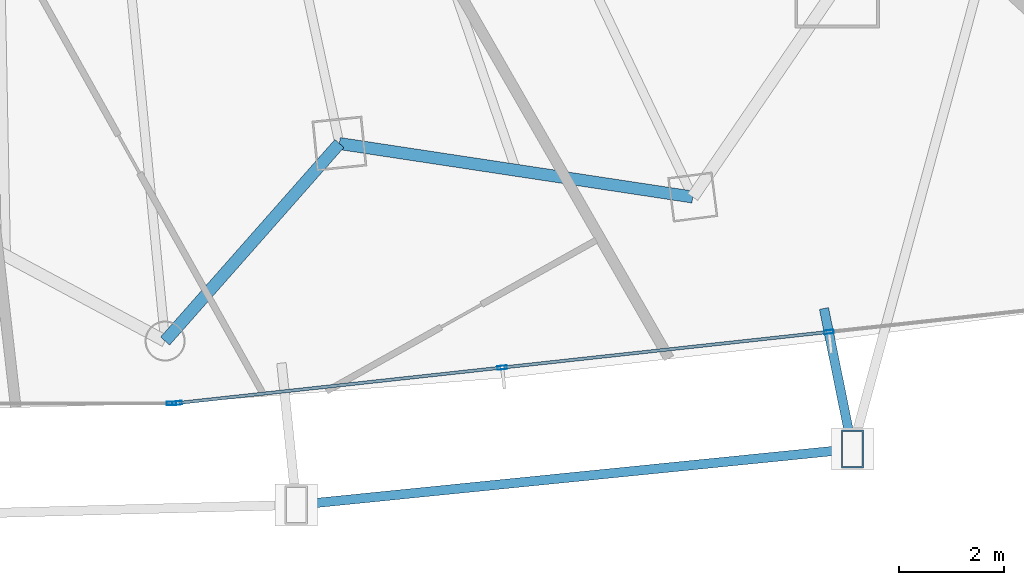
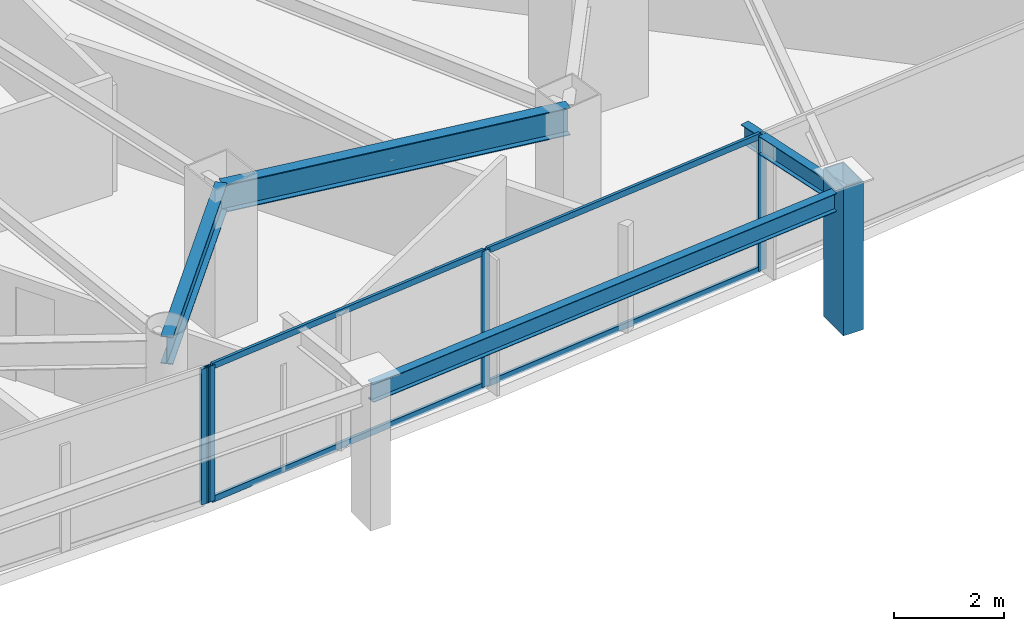
# One storey, part 12 of 33: 9 members, 4 beams, 2 elements without a shape of their own.
"""IFC4 building model written with IfcOpenShell, lengths in metres."""

import ifcopenshell
import ifcopenshell.guid

model = None  # the IFC model being written
_history = None  # IfcOwnerHistory: only IFC2X3 demands one
_inside = {}  # id of a spatial element -> (the spatial element, [elements in it])
_under = {}  # id of a project, library or spatial element -> (it, [spatial elements below it])
_declared = {}  # id of a project -> (the project, [libraries it declares])
_typed = {}  # id of a type object -> (the type object, [elements of that type])
_made_of = {}  # id of a material, layer set ... -> (it, [elements and type objects made of it])


def new_model(schema):
    """Start an empty IFC model of exactly this schema.

    Asked for "IFC4X3", IfcOpenShell would pick the latest addendum, in which some entities
    have other attributes; the version numbers below select the first issue.
    IFC2X3 requires an IfcOwnerHistory on every rooted entity: one is made here for all.
    """
    global model, _history
    if schema == "IFC4X3":
        model = ifcopenshell.file(schema_version=(4, 3, 0, 0))
    else:
        model = ifcopenshell.file(schema=schema)
    _inside.clear()
    _under.clear()
    _declared.clear()
    _typed.clear()
    _made_of.clear()
    _history = None
    if model.schema == "IFC2X3":
        org = make("IfcOrganization", Name="unknown")
        user = make(
            "IfcPersonAndOrganization",
            ThePerson=make("IfcPerson", FamilyName="unknown"),
            TheOrganization=org,
        )
        app = make(
            "IfcApplication",
            ApplicationDeveloper=org,
            Version="unknown",
            ApplicationFullName="unknown",
            ApplicationIdentifier="unknown",
        )
        _history = make(
            "IfcOwnerHistory",
            OwningUser=user,
            OwningApplication=app,
            ChangeAction="ADDED",
            CreationDate=0,
        )
    return model


def make(cls, **values):
    """One entity of the class cls with the attributes given. An attribute that is None is left unset."""
    return model.create_entity(
        cls, **{name: value for name, value in values.items() if value is not None}
    )


def rooted(cls, **values):
    """An entity with a GlobalId (a new one), such as an element, a storey or a relation."""
    return make(cls, GlobalId=ifcopenshell.guid.new(), OwnerHistory=_history, **values)


def si_unit(unit_type, name, prefix=None):
    """IfcSIUnit, for example si_unit("LENGTHUNIT", "METRE", prefix="MILLI")."""
    return make("IfcSIUnit", UnitType=unit_type, Prefix=prefix, Name=name)


def assignment(units):
    """IfcUnitAssignment: the units of a project."""
    return None if units is None else make("IfcUnitAssignment", Units=units)


def point(xyz):
    """IfcCartesianPoint."""
    return None if xyz is None else make("IfcCartesianPoint", Coordinates=xyz)


def direction(xyz):
    """IfcDirection."""
    return None if xyz is None else make("IfcDirection", DirectionRatios=xyz)


def frame(location, z_axis=None, x_axis=None):
    """IfcAxis2Placement3D, a coordinate frame: its origin and axes. An axis left out is left unset."""
    return make(
        "IfcAxis2Placement3D",
        Location=point(location),
        Axis=direction(z_axis),
        RefDirection=direction(x_axis),
    )


def frame_2d(location, x_axis=None):
    """IfcAxis2Placement2D, a coordinate frame in the plane: its origin and x axis."""
    return make(
        "IfcAxis2Placement2D", Location=point(location), RefDirection=direction(x_axis)
    )


def origin():
    """The frame at (0, 0, 0) with its axes left unset."""
    return frame((0.0, 0.0, 0.0))


def origin_2d():
    """The frame at (0, 0) in the plane with its x axis left unset."""
    return frame_2d((0.0, 0.0))


def place(relative_to, where):
    """IfcLocalPlacement: puts the frame where relative to a parent placement (None: the world)."""
    return make(
        "IfcLocalPlacement", PlacementRelTo=relative_to, RelativePlacement=where
    )


def context(
    kind, dimensions, precision=None, world=None, true_north=None, identifier=None
):
    """IfcGeometricRepresentationContext, for example the 3D "Model" context."""
    return make(
        "IfcGeometricRepresentationContext",
        ContextIdentifier=identifier,
        ContextType=kind,
        CoordinateSpaceDimension=dimensions,
        Precision=precision,
        WorldCoordinateSystem=world,
        TrueNorth=true_north,
    )


def subcontext(parent, identifier, kind, view, scale=None):
    """IfcGeometricRepresentationSubContext, for example "Body" below "Model"."""
    return make(
        "IfcGeometricRepresentationSubContext",
        ContextIdentifier=identifier,
        ContextType=kind,
        ParentContext=parent,
        TargetScale=scale,
        TargetView=view,
    )


def project(units=None, contexts=None):
    """IfcProject with its units and contexts."""
    return rooted(
        "IfcProject",
        Name="project",
        RepresentationContexts=contexts,
        UnitsInContext=assignment(units),
    )


def spatial(cls, under=None, at=None, **own):
    """A site, building, storey or space (cls), placed at a placement, below another one or the project."""
    s = rooted(cls, ObjectPlacement=at, **own)
    if under is not None:
        _under.setdefault(under.id(), (under, []))[1].append(s)
    return s


def profile(cls, at=None, kind="AREA", **sizes):
    """A parametric profile (cls). Its sizes go by their IFC names, for example OverallWidth=200.0."""
    return make(cls, ProfileType=kind, Position=at, **sizes)


def hollow_rectangle(**sizes):
    """IfcRectangleHollowProfileDef."""
    return profile("IfcRectangleHollowProfileDef", **sizes)


def i_section(**sizes):
    """IfcIShapeProfileDef."""
    return profile("IfcIShapeProfileDef", **sizes)


def extrude(swept, where, along, depth):
    """IfcExtrudedAreaSolid: the profile swept, set in the frame where, extruded along a direction by depth."""
    return make(
        "IfcExtrudedAreaSolid",
        SweptArea=swept,
        Position=where,
        ExtrudedDirection=direction(along),
        Depth=depth,
    )


def shape(context_of_items, identifier, shape_type, items):
    """IfcShapeRepresentation: the items that make up one representation, for example the "Body"."""
    return make(
        "IfcShapeRepresentation",
        ContextOfItems=context_of_items,
        RepresentationIdentifier=identifier,
        RepresentationType=shape_type,
        Items=items,
    )


def material(Name=None, Category=None):
    """IfcMaterial."""
    return make("IfcMaterial", Name=Name, Category=Category)


def layer(
    of_material, thickness, ventilated=None, Name=None, Category=None, Priority=None
):
    """IfcMaterialLayer: one layer of a wall or slab, of a material (None: an air gap)."""
    return make(
        "IfcMaterialLayer",
        Material=of_material,
        LayerThickness=thickness,
        IsVentilated=ventilated,
        Name=Name,
        Category=Category,
        Priority=Priority,
    )


def layer_set(layers, Name=None):
    """IfcMaterialLayerSet."""
    return make("IfcMaterialLayerSet", MaterialLayers=layers, LayerSetName=Name)


def material_profile(
    of_material, cross_section, Name=None, Category=None, Priority=None
):
    """IfcMaterialProfile: a cross section and its material."""
    return make(
        "IfcMaterialProfile",
        Name=Name,
        Material=of_material,
        Profile=cross_section,
        Priority=Priority,
        Category=Category,
    )


def profile_set(profiles, Name=None, composite=None):
    """IfcMaterialProfileSet."""
    return make(
        "IfcMaterialProfileSet",
        Name=Name,
        MaterialProfiles=profiles,
        CompositeProfile=composite,
    )


def made_of(thing, what):
    """Note that an element or type object is made of a material, layer set ...; save() writes the relation."""
    if what is not None:
        _made_of.setdefault(what.id(), (what, []))[1].append(thing)
    return thing


def type_object(cls, material=None, **own):
    """A type object (cls), such as IfcWallType, which elements share."""
    return made_of(rooted(cls, **own), material)


def element(
    cls,
    number,
    at=None,
    inside=None,
    cuts=None,
    type_object=None,
    material=None,
    context=None,
    identifier="Body",
    shape_type=None,
    held_by="IfcProductDefinitionShape",
    body=None,
    shapes=None,
    **own,
):
    """One element of the class cls, such as IfcWall. Its Tag is "e" and its number.

    at: its placement. inside: the storey or other place that contains it. cuts: it is an
    opening in that element (IfcRelVoidsElement). A single representation is given by context,
    identifier, shape_type and body (its items); several are given by shapes. held_by: the class
    of the entity that holds the representations. save() writes the other relations.
    """
    e = rooted(cls, Tag="e%d" % number, ObjectPlacement=at, **own)
    if body is not None:
        shapes = [shape(context, identifier, shape_type, body)]
    if shapes is not None:
        e.Representation = make(held_by, Representations=shapes)
    if inside is not None:
        _inside.setdefault(inside.id(), (inside, []))[1].append(e)
    if cuts is not None:
        rooted(
            "IfcRelVoidsElement", RelatingBuildingElement=cuts, RelatedOpeningElement=e
        )
    if type_object is not None:
        _typed.setdefault(type_object.id(), (type_object, []))[1].append(e)
    return made_of(e, material)


def aggregate(whole, parts):
    """IfcRelAggregates: a whole, such as a stair, and the parts it consists of."""
    return rooted("IfcRelAggregates", RelatingObject=whole, RelatedObjects=parts)


def save(model, path):
    """Write the relations noted so far, then the file.

    IfcRelAggregates (storeys below a building ...), IfcRelContainedInSpatialStructure (elements
    in a storey), IfcRelDefinesByType, IfcRelAssociatesMaterial and IfcRelDeclares: one each for
    every whole, place, type object, material and project.
    """
    for whole, parts in _under.values():
        aggregate(whole, parts)
    for where, things in _inside.values():
        rooted(
            "IfcRelContainedInSpatialStructure",
            RelatedElements=things,
            RelatingStructure=where,
        )
    for kind, things in _typed.values():
        rooted("IfcRelDefinesByType", RelatedObjects=things, RelatingType=kind)
    for what, things in _made_of.values():
        rooted("IfcRelAssociatesMaterial", RelatedObjects=things, RelatingMaterial=what)
    for by, libraries in _declared.values():
        rooted("IfcRelDeclares", RelatingContext=by, RelatedDefinitions=libraries)
    model.write(path)


model = new_model("IFC4")

# Units and contexts
model_context = context("Model", 3, precision=1e-05, world=origin(), true_north=direction((0.0, 1.0)))
body_context = subcontext(model_context, "Body", "Model", "MODEL_VIEW")
ifc_project = project(units=[si_unit("LENGTHUNIT", "METRE"), si_unit("AREAUNIT", "SQUARE_METRE"), si_unit("VOLUMEUNIT", "CUBIC_METRE"), si_unit("PLANEANGLEUNIT", "RADIAN"), si_unit("MASSUNIT", "GRAM", prefix="KILO")], contexts=[model_context])

# Site, building, storey
site_placement = place(None, origin())
site = spatial("IfcSite", under=ifc_project, at=site_placement, CompositionType="ELEMENT")
building_placement = place(site_placement, origin())
building = spatial("IfcBuilding", under=site, at=building_placement, Name="Orvanel Arch Residences", CompositionType="ELEMENT")
storey_placement = place(building_placement, frame((0.0, 0.0, 93.949951171875)))
storey = spatial("IfcBuildingStorey", under=building, at=storey_placement, Name="L26", CompositionType="ELEMENT", Elevation=93.949951171875)

# Member
ifc_material_1 = material(Name="Structural steel AS/NZS 3678 Grade 350", Category="steel")
ifc_material_profile_1 = material_profile(ifc_material_1, hollow_rectangle(XDim=0.419921875, YDim=0.719970703125, WallThickness=0.02490234375, at=origin_2d()), Name="RHS720x420x25")
ifc_profile_set_1 = profile_set([ifc_material_profile_1], Name="Structural steel AS/NZS 3678 Grade 350")
member_type_1 = type_object("IfcMemberType", Name="CH-720RHS-EXT", PredefinedType="CHORD", material=ifc_profile_set_1)
member_1_placement = place(storey_placement, frame((52.089111328125, 1.554931640625, 0.0), z_axis=(0.0, 0.0, 1.0), x_axis=(1.0, 0.0, 0.0)))
element("IfcMember", 1, at=member_1_placement, inside=storey, type_object=member_type_1, Name="L26 Outer Perimeter Frame Post 08", PredefinedType="CHORD", context=body_context, shape_type="SweptSolid", body=[
    extrude(hollow_rectangle(XDim=0.419921875, YDim=0.719970703125, WallThickness=0.02490234375, at=origin_2d()), origin(), (0.0, 0.0, 1.0), 3.300048828125),
])

# Curtain wall, member
ifc_material_2 = material(Name="Bronze-anodised aluminium AA6063-T6", Category="aluminium")
ifc_layer = layer(ifc_material_2, 0.179931640625)
ifc_layer_set = layer_set([ifc_layer], Name="Bronze-anodised aluminium AA6063-T6")
curtain_wall_type = type_object("IfcCurtainWallType", Name="CW2-LOW-SYS", PredefinedType="NOTDEFINED", material=ifc_layer_set)
curtain_wall_1_placement = place(storey_placement, origin())
curtain_wall_1 = element("IfcCurtainWall", 2, at=curtain_wall_1_placement, inside=storey, type_object=curtain_wall_type, Name="L26 CW2-LOW-SYS Unitised Curtain Wall", PredefinedType="NOTDEFINED")
ifc_material_profile_2 = material_profile(ifc_material_2, hollow_rectangle(XDim=0.070068359375, YDim=0.179931640625, WallThickness=0.00439453125, at=origin_2d()), Name="ALU180x70x4.5")
ifc_profile_set_2 = profile_set([ifc_material_profile_2], Name="Bronze-anodised aluminium AA6063-T6")
member_type_2 = type_object("IfcMemberType", Name="MUL-180x70", PredefinedType="MULLION", material=ifc_profile_set_2)
member_2_placement = place(storey_placement, frame((39.162109375, 2.422119140625, 0.0), z_axis=(0.0, 0.0, 1.0), x_axis=(0.0, 1.0, 0.0)))
member_2 = element("IfcMember", 3, at=member_2_placement, type_object=member_type_2, Name="CW-S2 mullion 3", PredefinedType="MULLION", context=body_context, shape_type="SweptSolid", body=[
    extrude(hollow_rectangle(XDim=0.070068359375, YDim=0.179931640625, WallThickness=0.00439453125, at=origin_2d()), origin(), (0.0, 0.0, 1.0), 3.02001953125),
])
aggregate(curtain_wall_1, [member_2])

# Curtain wall, members
curtain_wall_2_placement = place(storey_placement, origin())
curtain_wall_2 = element("IfcCurtainWall", 4, at=curtain_wall_2_placement, inside=storey, type_object=curtain_wall_type, Name="L26 CW2-LOW-SYS Unitised Curtain Wall", PredefinedType="NOTDEFINED")
member_3_placement = place(storey_placement, frame((39.271728515625, 2.427734375, 0.0), z_axis=(0.0, 0.0, 1.0), x_axis=(-0.108531962964, 0.994092959946, 0.0)))
member_3 = element("IfcMember", 5, at=member_3_placement, type_object=member_type_2, Name="CW-S2 mullion 1", PredefinedType="MULLION", context=body_context, shape_type="SweptSolid", body=[
    extrude(hollow_rectangle(XDim=0.070068359375, YDim=0.179931640625, WallThickness=0.00439453125, at=origin_2d()), origin(), (0.0, 0.0, 1.0), 3.02001953125),
])
member_4_placement = place(storey_placement, frame((45.44091796875, 3.101318359375, 0.0), z_axis=(0.0, 0.0, 1.0), x_axis=(-0.108531962964, 0.994092959946, 0.0)))
member_4 = element("IfcMember", 6, at=member_4_placement, type_object=member_type_2, Name="CW-S2 mullion 2", PredefinedType="MULLION", context=body_context, shape_type="SweptSolid", body=[
    extrude(hollow_rectangle(XDim=0.070068359375, YDim=0.179931640625, WallThickness=0.00439453125, at=origin_2d()), origin(), (0.0, 0.0, 1.0), 3.02001953125),
])
member_5_placement = place(storey_placement, frame((51.64501953125, 3.778564453125, 0.0), z_axis=(0.0, 0.0, 1.0), x_axis=(-0.108531962964, 0.994092959946, 0.0)))
member_5 = element("IfcMember", 7, at=member_5_placement, type_object=member_type_2, Name="CW-S2 mullion 3", PredefinedType="MULLION", context=body_context, shape_type="SweptSolid", body=[
    extrude(hollow_rectangle(XDim=0.070068359375, YDim=0.179931640625, WallThickness=0.00439453125, at=origin_2d()), origin(), (0.0, 0.0, 1.0), 3.02001953125),
])

# Beams
ifc_material_3 = material(Name="Structural steel AS/NZS 3679.1 Grade 300 (300 MPa)", Category="steel")
ifc_material_profile_3 = material_profile(ifc_material_3, i_section(OverallWidth=0.177978515625, OverallDepth=0.406005859375, WebThickness=0.0078125, FlangeThickness=0.0126953125, at=origin_2d()), Name="410UB59.7")
ifc_profile_set_3 = profile_set([ifc_material_profile_3], Name="Structural steel AS/NZS 3679.1 Grade 300 (300 MPa)")
beam_type_1 = type_object("IfcBeamType", Name="OB-410UB-EXT", PredefinedType="SPANDREL", material=ifc_profile_set_3)
beam_1_placement = place(storey_placement, frame((41.532958984375, 0.493896484375, 2.817138671875), z_axis=(0.994986481145, 0.100009511241, 0.0), x_axis=(-0.100009511241, 0.994986481145, 0.0)))
element("IfcBeam", 8, at=beam_1_placement, inside=storey, type_object=beam_type_1, Name="L26 Outer Perimeter Floor Ring Beam 07", PredefinedType="SPANDREL", context=body_context, shape_type="SweptSolid", body=[
    extrude(i_section(OverallWidth=0.177978515625, OverallDepth=0.406005859375, WebThickness=0.0078125, FlangeThickness=0.0126953125, at=origin_2d()), origin(), (0.0, 0.0, 1.0), 10.609375),
])
beam_2_placement = place(storey_placement, frame((51.550048828125, 4.22412109375, 2.817138671875), z_axis=(0.197960634404, -0.980209970989, 0.0), x_axis=(0.980209970989, 0.197960634404, 0.0)))
element("IfcBeam", 9, at=beam_2_placement, inside=storey, type_object=beam_type_1, Name="L26 Outer Frame Radial Tie Beam 08", PredefinedType="SPANDREL", context=body_context, shape_type="SweptSolid", body=[
    extrude(i_section(OverallWidth=0.177978515625, OverallDepth=0.406005859375, WebThickness=0.0078125, FlangeThickness=0.0126953125, at=origin_2d()), origin(), (0.0, 0.0, 1.0), 2.72314453125),
])
ifc_material_profile_4 = material_profile(ifc_material_3, i_section(OverallWidth=0.22900390625, OverallDepth=0.612060546875, WebThickness=0.011962890625, FlangeThickness=0.01953125, at=origin_2d()), Name="610UB125")
ifc_profile_set_4 = profile_set([ifc_material_profile_4], Name="Structural steel AS/NZS 3679.1 Grade 300 (300 MPa)")
beam_type_2 = type_object("IfcBeamType", Name="SP-610UB", PredefinedType="SPANDREL", material=ifc_profile_set_4)
beam_3_placement = place(storey_placement, frame((39.0419921875, 3.60498046875, 2.714111328125), z_axis=(0.661650698195, 0.749812212209, 0.0), x_axis=(-0.749812212209, 0.661650698195, 0.0)))
element("IfcBeam", 10, at=beam_3_placement, inside=storey, type_object=beam_type_2, Name="L26 Perimeter Spandrel Beam 08", PredefinedType="SPANDREL", context=body_context, shape_type="SweptSolid", body=[
    extrude(i_section(OverallWidth=0.22900390625, OverallDepth=0.612060546875, WebThickness=0.011962890625, FlangeThickness=0.01953125, at=origin_2d()), origin(), (0.0, 0.0, 1.0), 5.001220703125),
])
beam_4_placement = place(storey_placement, frame((42.35107421875, 7.35498046875, 2.714111328125), z_axis=(0.988726323014, -0.149733958002, 0.0), x_axis=(0.149733958002, 0.988726323014, 0.0)))
element("IfcBeam", 11, at=beam_4_placement, inside=storey, type_object=beam_type_2, Name="L26 Perimeter Spandrel Beam 09", PredefinedType="SPANDREL", context=body_context, shape_type="SweptSolid", body=[
    extrude(i_section(OverallWidth=0.22900390625, OverallDepth=0.612060546875, WebThickness=0.011962890625, FlangeThickness=0.01953125, at=origin_2d()), origin(), (0.0, 0.0, 1.0), 6.784423828125),
])

# Member
ifc_material_profile_5 = material_profile(ifc_material_2, hollow_rectangle(XDim=0.06005859375, YDim=0.135009765625, WallThickness=0.00390625, at=origin_2d()), Name="ALU135x60x4")
ifc_profile_set_5 = profile_set([ifc_material_profile_5], Name="Bronze-anodised aluminium AA6063-T6")
member_type_3 = type_object("IfcMemberType", Name="TRN-135x60", PredefinedType="USERDEFINED", material=ifc_profile_set_5)
member_6_placement = place(storey_placement, frame((39.306640625, 2.431640625, 0.030029296875), z_axis=(0.994091564885, 0.108544740194, 0.0), x_axis=(-0.108544740194, 0.994091564885, 0.0)))
member_6 = element("IfcMember", 12, at=member_6_placement, type_object=member_type_3, Name="CW-S2 transom 1.1", ObjectType="TRANSOM", PredefinedType="USERDEFINED", context=body_context, shape_type="SweptSolid", body=[
    extrude(hollow_rectangle(XDim=0.06005859375, YDim=0.135009765625, WallThickness=0.00390625, at=origin_2d()), origin(), (0.0, 0.0, 1.0), 6.1357421875),
])

member_7_placement = place(storey_placement, frame((39.306640625, 2.431640625, 2.989990234375), z_axis=(0.994091564885, 0.108544740194, 0.0), x_axis=(-0.108544740194, 0.994091564885, 0.0)))
member_7 = element("IfcMember", 13, at=member_7_placement, type_object=member_type_3, Name="CW-S2 transom 1.2", ObjectType="TRANSOM", PredefinedType="USERDEFINED", context=body_context, shape_type="SweptSolid", body=[
    extrude(hollow_rectangle(XDim=0.06005859375, YDim=0.135009765625, WallThickness=0.00390625, at=origin_2d()), origin(), (0.0, 0.0, 1.0), 6.1357421875),
])

member_8_placement = place(storey_placement, frame((45.475830078125, 3.105224609375, 0.030029296875), z_axis=(0.994093720442, 0.108524997022, 0.0), x_axis=(-0.108524997022, 0.994093720442, 0.0)))
member_8 = element("IfcMember", 14, at=member_8_placement, type_object=member_type_3, Name="CW-S2 transom 2.1", ObjectType="TRANSOM", PredefinedType="USERDEFINED", context=body_context, shape_type="SweptSolid", body=[
    extrude(hollow_rectangle(XDim=0.06005859375, YDim=0.135009765625, WallThickness=0.00390625, at=origin_2d()), origin(), (0.0, 0.0, 1.0), 6.170654296875),
])

member_9_placement = place(storey_placement, frame((45.475830078125, 3.105224609375, 2.989990234375), z_axis=(0.994093720442, 0.108524997022, 0.0), x_axis=(-0.108524997022, 0.994093720442, 0.0)))
member_9 = element("IfcMember", 15, at=member_9_placement, type_object=member_type_3, Name="CW-S2 transom 2.2", ObjectType="TRANSOM", PredefinedType="USERDEFINED", context=body_context, shape_type="SweptSolid", body=[
    extrude(hollow_rectangle(XDim=0.06005859375, YDim=0.135009765625, WallThickness=0.00390625, at=origin_2d()), origin(), (0.0, 0.0, 1.0), 6.170654296875),
])

aggregate(curtain_wall_2, [member_3, member_4, member_5, member_6, member_7, member_8, member_9])

save(model, "model.ifc")
